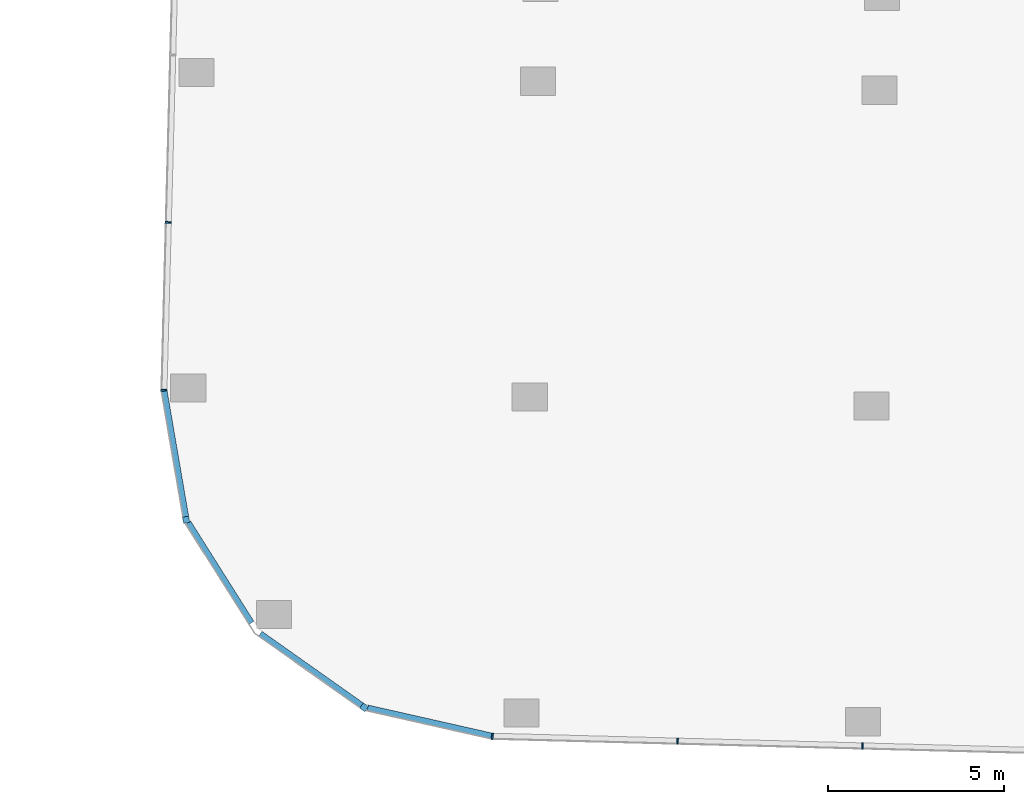
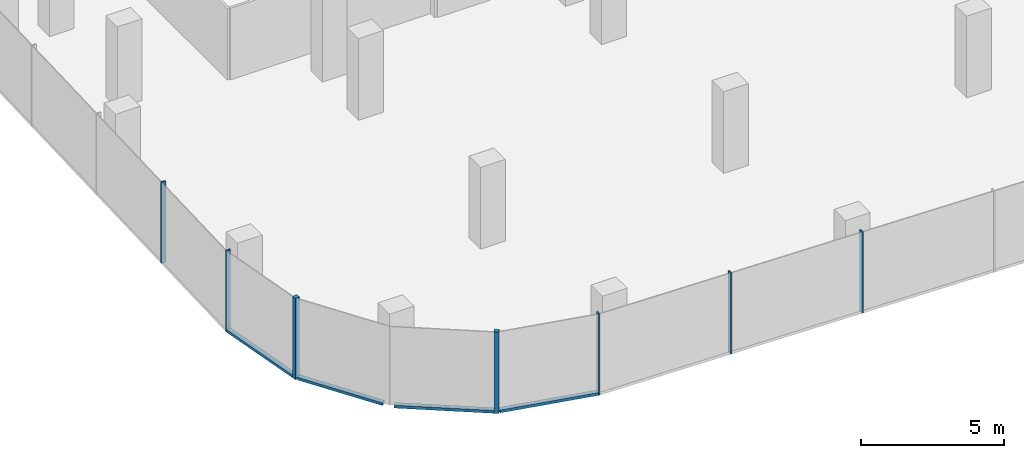
# One storey, part 2 of 26: 11 members, 6 elements without a shape of their own.
"""IFC4 building model written with IfcOpenShell, lengths in metres."""

from ifc_helpers import new_model, si_unit, direction, frame, origin, origin_2d, place, context, subcontext, project, spatial, rectangle, extrude, material, material_profile, profile_set, type_object, element, aggregate, save


model = new_model("IFC4")

# Units and contexts
model_context = context("Model", 3, precision=1e-05, world=origin(), true_north=direction((0.0, 1.0)))
body_context = subcontext(model_context, "Body", "Model", "MODEL_VIEW")
ifc_project = project(units=[si_unit("LENGTHUNIT", "METRE"), si_unit("AREAUNIT", "SQUARE_METRE"), si_unit("VOLUMEUNIT", "CUBIC_METRE"), si_unit("PLANEANGLEUNIT", "RADIAN"), si_unit("MASSUNIT", "GRAM", prefix="KILO")], contexts=[model_context])

# Site, building, storey
site_placement = place(None, origin())
site = spatial("IfcSite", under=ifc_project, at=site_placement, CompositionType="ELEMENT")
building_placement = place(site_placement, origin())
building = spatial("IfcBuilding", under=site, at=building_placement, Name="Orlundy Tower", CompositionType="ELEMENT")
storey_placement = place(building_placement, frame((0.0, 0.0, 214.0)))
storey = spatial("IfcBuildingStorey", under=building, at=storey_placement, Name="L56", CompositionType="ELEMENT", Elevation=214.0)

# Curtain wall, member
ifc_material_1 = material(Name="Aluminium bronze anodised", Category="aluminium")
curtain_wall_type = type_object("IfcCurtainWallType", Name="CW1 wall", PredefinedType="NOTDEFINED", material=ifc_material_1)
curtain_wall_1_placement = place(storey_placement, origin())
curtain_wall_1 = element("IfcCurtainWall", 1, at=curtain_wall_1_placement, inside=storey, type_object=curtain_wall_type, Name="CW1 run 025", PredefinedType="NOTDEFINED")
ifc_material_2 = material(Name="Aluminium bronze anodised", Category="aluminium")
ifc_material_profile_1 = material_profile(ifc_material_2, rectangle(XDim=0.179931640625, YDim=0.179931640625, at=origin_2d()), Name="CW1 corner post 180x180")
ifc_profile_set_1 = profile_set([ifc_material_profile_1], Name="Aluminium bronze anodised")
member_type_1 = type_object("IfcMemberType", Name="CW1 corner post 180x180", PredefinedType="MULLION", material=ifc_profile_set_1)
member_1_placement = place(storey_placement, frame((-15.732421875, -59.4697265625, -0.39990234375), z_axis=(0.0, 0.0, 1.0), x_axis=(-0.577096231381, -0.816676153518, 0.0)))
member_1 = element("IfcMember", 2, at=member_1_placement, type_object=member_type_1, Name="CW1 mullion 58", PredefinedType="MULLION", context=body_context, shape_type="SweptSolid", body=[
    extrude(rectangle(XDim=0.179931640625, YDim=0.179931640625, at=origin_2d()), origin(), (0.0, 0.0, 1.0), 3.47998046875),
])

curtain_wall_2_placement = place(storey_placement, origin())
curtain_wall_2 = element("IfcCurtainWall", 3, at=curtain_wall_2_placement, inside=storey, type_object=curtain_wall_type, Name="CW1 run 027", PredefinedType="NOTDEFINED")
member_2_placement = place(storey_placement, frame((-20.78564453125, -54.144775390625, -0.39990234375), z_axis=(0.0, 0.0, 1.0), x_axis=(-0.985542556373, -0.169428066085, 0.0)))
member_2 = element("IfcMember", 4, at=member_2_placement, type_object=member_type_1, Name="CW1 mullion 60", PredefinedType="MULLION", context=body_context, shape_type="SweptSolid", body=[
    extrude(rectangle(XDim=0.179931640625, YDim=0.179931640625, at=origin_2d()), origin(), (0.0, 0.0, 1.0), 3.47998046875),
])

# Curtain wall, members
curtain_wall_3_placement = place(storey_placement, origin())
curtain_wall_3 = element("IfcCurtainWall", 5, at=curtain_wall_3_placement, inside=storey, type_object=curtain_wall_type, Name="CW1 run 00", PredefinedType="NOTDEFINED")
ifc_material_3 = material(Name="Aluminium bronze anodised", Category="aluminium")
ifc_material_profile_2 = material_profile(ifc_material_3, rectangle(XDim=0.179931640625, YDim=0.050048828125, at=origin_2d()), Name="CW1 mullion 50x180")
ifc_profile_set_2 = profile_set([ifc_material_profile_2], Name="Aluminium bronze anodised")
member_type_2 = type_object("IfcMemberType", Name="CW1 mullion 50x180", PredefinedType="MULLION", material=ifc_profile_set_2)
member_3_placement = place(storey_placement, frame((-21.418212890625, -50.465576171875, -0.39990234375), z_axis=(0.0, 0.0, 1.0), x_axis=(-0.997406748285, -0.071970677886, 0.0)))
member_3 = element("IfcMember", 6, at=member_3_placement, type_object=member_type_2, Name="CW1 mullion 1", PredefinedType="MULLION", context=body_context, shape_type="SweptSolid", body=[
    extrude(rectangle(XDim=0.179931640625, YDim=0.050048828125, at=origin_2d()), origin(), (0.0, 0.0, 1.0), 3.47998046875),
])
member_4_placement = place(storey_placement, frame((-21.29345703125, -45.702880859375, -0.39990234375), z_axis=(0.0, 0.0, 1.0), x_axis=(-0.999657234212, 0.026180414199, 0.0)))
member_4 = element("IfcMember", 7, at=member_4_placement, type_object=member_type_2, Name="CW1 mullion 2", PredefinedType="MULLION", context=body_context, shape_type="SweptSolid", body=[
    extrude(rectangle(XDim=0.179931640625, YDim=0.050048828125, at=origin_2d()), origin(), (0.0, 0.0, 1.0), 3.47998046875),
])
aggregate(curtain_wall_3, [member_3, member_4])

curtain_wall_4_placement = place(storey_placement, origin())
curtain_wall_4 = element("IfcCurtainWall", 8, at=curtain_wall_4_placement, inside=storey, type_object=curtain_wall_type, Name="CW1 run 023", PredefinedType="NOTDEFINED")
member_5_placement = place(storey_placement, frame((-1.5859375, -60.56884765625, -0.39990234375), z_axis=(0.0, 0.0, 1.0), x_axis=(-0.026190222342, -0.999656977295, 0.0)))
member_5 = element("IfcMember", 9, at=member_5_placement, type_object=member_type_2, Name="CW1 mullion 55", PredefinedType="MULLION", context=body_context, shape_type="SweptSolid", body=[
    extrude(rectangle(XDim=0.179931640625, YDim=0.050048828125, at=origin_2d()), origin(), (0.0, 0.0, 1.0), 3.47998046875),
])
member_6_placement = place(storey_placement, frame((-6.834228515625, -60.431396484375, -0.39990234375), z_axis=(0.0, 0.0, 1.0), x_axis=(-0.026190222342, -0.999656977295, 0.0)))
member_6 = element("IfcMember", 10, at=member_6_placement, type_object=member_type_2, Name="CW1 mullion 56", PredefinedType="MULLION", context=body_context, shape_type="SweptSolid", body=[
    extrude(rectangle(XDim=0.179931640625, YDim=0.050048828125, at=origin_2d()), origin(), (0.0, 0.0, 1.0), 3.47998046875),
])
aggregate(curtain_wall_4, [member_5, member_6])

curtain_wall_5_placement = place(storey_placement, origin())
curtain_wall_5 = element("IfcCurtainWall", 11, at=curtain_wall_5_placement, inside=storey, type_object=curtain_wall_type, Name="CW1 run 024", PredefinedType="NOTDEFINED")
member_7_placement = place(storey_placement, frame((-12.09130859375, -60.293701171875, -0.39990234375), z_axis=(0.0, 0.0, 1.0), x_axis=(-0.124042216169, -0.992276941488, 0.0)))
member_7 = element("IfcMember", 12, at=member_7_placement, type_object=member_type_2, Name="CW1 mullion 57", PredefinedType="MULLION", context=body_context, shape_type="SweptSolid", body=[
    extrude(rectangle(XDim=0.179931640625, YDim=0.050048828125, at=origin_2d()), origin(), (0.0, 0.0, 1.0), 3.47998046875),
])
ifc_material_4 = material(Name="Aluminium bronze anodised", Category="aluminium")
ifc_material_profile_3 = material_profile(ifc_material_4, rectangle(XDim=0.179931640625, YDim=0.1201171875, at=origin_2d()), Name="CW1 transom 180x120")
ifc_profile_set_3 = profile_set([ifc_material_profile_3], Name="Aluminium bronze anodised")
member_type_3 = type_object("IfcMemberType", Name="CW1 transom 180x120", PredefinedType="USERDEFINED", material=ifc_profile_set_3)
member_8_placement = place(storey_placement, frame((-12.11572265625, -60.2880859375, -0.340087890625), z_axis=(-0.975339671068, 0.220709143536, 0.0), x_axis=(-0.220709143536, -0.975339671068, 0.0)))
member_8 = element("IfcMember", 13, at=member_8_placement, type_object=member_type_3, Name="CW1 transom", ObjectType="TRANSOM", PredefinedType="USERDEFINED", context=body_context, shape_type="SweptSolid", body=[
    extrude(rectangle(XDim=0.179931640625, YDim=0.1201171875, at=origin_2d()), origin(), (0.0, 0.0, 1.0), 3.610595703125),
])
aggregate(curtain_wall_5, [member_7, member_8])

# Member
member_9_placement = place(storey_placement, frame((-15.805908203125, -59.41796875, -0.340087890625), z_axis=(-0.816662498502, 0.577115554756, 0.0), x_axis=(-0.577115554756, -0.816662498502, 0.0)))
member_9 = element("IfcMember", 14, at=member_9_placement, type_object=member_type_3, Name="CW1 transom", ObjectType="TRANSOM", PredefinedType="USERDEFINED", context=body_context, shape_type="SweptSolid", body=[
    extrude(rectangle(XDim=0.179931640625, YDim=0.1201171875, at=origin_2d()), origin(), (0.0, 0.0, 1.0), 3.5244140625),
])

aggregate(curtain_wall_1, [member_1, member_9])

# Curtain wall, member
curtain_wall_6_placement = place(storey_placement, origin())
curtain_wall_6 = element("IfcCurtainWall", 15, at=curtain_wall_6_placement, inside=storey, type_object=curtain_wall_type, Name="CW1 run 026", PredefinedType="NOTDEFINED")
member_10_placement = place(storey_placement, frame((-18.93701171875, -57.074951171875, -0.340087890625), z_axis=(-0.533591907668, 0.845742086023, 0.0), x_axis=(-0.845742086023, -0.533591907668, 0.0)))
member_10 = element("IfcMember", 16, at=member_10_placement, type_object=member_type_3, Name="CW1 transom", ObjectType="TRANSOM", PredefinedType="USERDEFINED", context=body_context, shape_type="SweptSolid", body=[
    extrude(rectangle(XDim=0.179931640625, YDim=0.1201171875, at=origin_2d()), origin(), (0.0, 0.0, 1.0), 3.366943359375),
])
aggregate(curtain_wall_6, [member_10])

# Member
member_11_placement = place(storey_placement, frame((-20.801025390625, -54.05615234375, -0.340087890625), z_axis=(-0.16943012929, 0.985542201678, 0.0), x_axis=(-0.985542201678, -0.16943012929, 0.0)))
member_11 = element("IfcMember", 17, at=member_11_placement, type_object=member_type_3, Name="CW1 transom", ObjectType="TRANSOM", PredefinedType="USERDEFINED", context=body_context, shape_type="SweptSolid", body=[
    extrude(rectangle(XDim=0.179931640625, YDim=0.1201171875, at=origin_2d()), origin(), (0.0, 0.0, 1.0), 3.6181640625),
])

aggregate(curtain_wall_2, [member_2, member_11])

save(model, "model.ifc")
